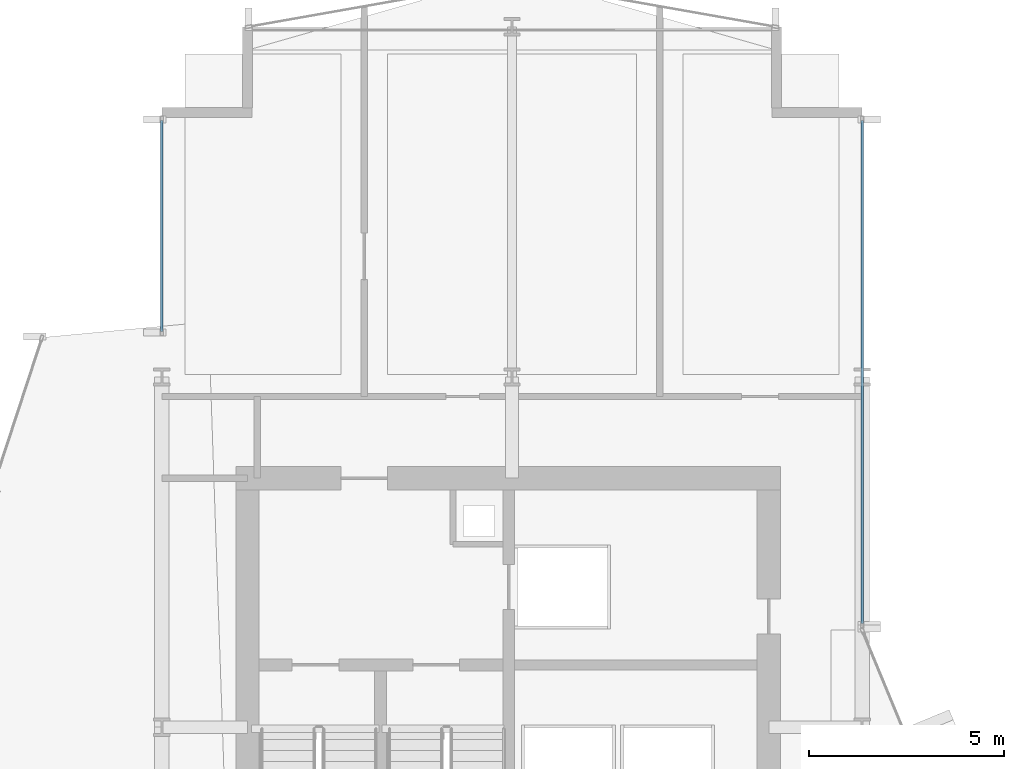
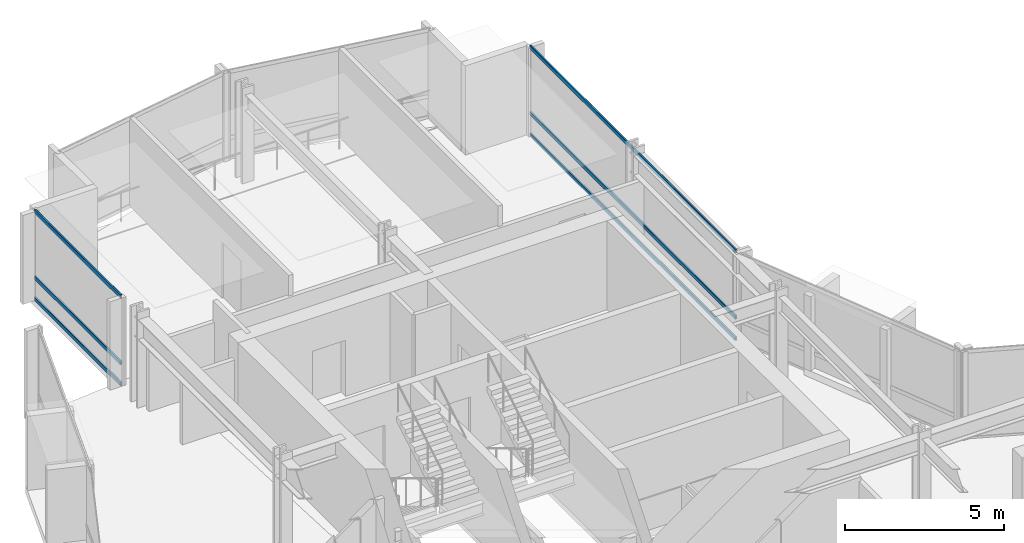
# One storey, part 22 of 34: 6 members, 2 elements without a shape of their own.
"""IFC4 building model written with IfcOpenShell, lengths in metres."""

import ifcopenshell
import ifcopenshell.guid

model = None  # the IFC model being written
_history = None  # IfcOwnerHistory: only IFC2X3 demands one
_inside = {}  # id of a spatial element -> (the spatial element, [elements in it])
_under = {}  # id of a project, library or spatial element -> (it, [spatial elements below it])
_declared = {}  # id of a project -> (the project, [libraries it declares])
_typed = {}  # id of a type object -> (the type object, [elements of that type])
_made_of = {}  # id of a material, layer set ... -> (it, [elements and type objects made of it])


def new_model(schema):
    """Start an empty IFC model of exactly this schema.

    Asked for "IFC4X3", IfcOpenShell would pick the latest addendum, in which some entities
    have other attributes; the version numbers below select the first issue.
    IFC2X3 requires an IfcOwnerHistory on every rooted entity: one is made here for all.
    """
    global model, _history
    if schema == "IFC4X3":
        model = ifcopenshell.file(schema_version=(4, 3, 0, 0))
    else:
        model = ifcopenshell.file(schema=schema)
    _inside.clear()
    _under.clear()
    _declared.clear()
    _typed.clear()
    _made_of.clear()
    _history = None
    if model.schema == "IFC2X3":
        org = make("IfcOrganization", Name="unknown")
        user = make(
            "IfcPersonAndOrganization",
            ThePerson=make("IfcPerson", FamilyName="unknown"),
            TheOrganization=org,
        )
        app = make(
            "IfcApplication",
            ApplicationDeveloper=org,
            Version="unknown",
            ApplicationFullName="unknown",
            ApplicationIdentifier="unknown",
        )
        _history = make(
            "IfcOwnerHistory",
            OwningUser=user,
            OwningApplication=app,
            ChangeAction="ADDED",
            CreationDate=0,
        )
    return model


def make(cls, **values):
    """One entity of the class cls with the attributes given. An attribute that is None is left unset."""
    return model.create_entity(
        cls, **{name: value for name, value in values.items() if value is not None}
    )


def rooted(cls, **values):
    """An entity with a GlobalId (a new one), such as an element, a storey or a relation."""
    return make(cls, GlobalId=ifcopenshell.guid.new(), OwnerHistory=_history, **values)


def si_unit(unit_type, name, prefix=None):
    """IfcSIUnit, for example si_unit("LENGTHUNIT", "METRE", prefix="MILLI")."""
    return make("IfcSIUnit", UnitType=unit_type, Prefix=prefix, Name=name)


def assignment(units):
    """IfcUnitAssignment: the units of a project."""
    return None if units is None else make("IfcUnitAssignment", Units=units)


def point(xyz):
    """IfcCartesianPoint."""
    return None if xyz is None else make("IfcCartesianPoint", Coordinates=xyz)


def direction(xyz):
    """IfcDirection."""
    return None if xyz is None else make("IfcDirection", DirectionRatios=xyz)


def frame(location, z_axis=None, x_axis=None):
    """IfcAxis2Placement3D, a coordinate frame: its origin and axes. An axis left out is left unset."""
    return make(
        "IfcAxis2Placement3D",
        Location=point(location),
        Axis=direction(z_axis),
        RefDirection=direction(x_axis),
    )


def frame_2d(location, x_axis=None):
    """IfcAxis2Placement2D, a coordinate frame in the plane: its origin and x axis."""
    return make(
        "IfcAxis2Placement2D", Location=point(location), RefDirection=direction(x_axis)
    )


def origin():
    """The frame at (0, 0, 0) with its axes left unset."""
    return frame((0.0, 0.0, 0.0))


def origin_2d():
    """The frame at (0, 0) in the plane with its x axis left unset."""
    return frame_2d((0.0, 0.0))


def place(relative_to, where):
    """IfcLocalPlacement: puts the frame where relative to a parent placement (None: the world)."""
    return make(
        "IfcLocalPlacement", PlacementRelTo=relative_to, RelativePlacement=where
    )


def context(
    kind, dimensions, precision=None, world=None, true_north=None, identifier=None
):
    """IfcGeometricRepresentationContext, for example the 3D "Model" context."""
    return make(
        "IfcGeometricRepresentationContext",
        ContextIdentifier=identifier,
        ContextType=kind,
        CoordinateSpaceDimension=dimensions,
        Precision=precision,
        WorldCoordinateSystem=world,
        TrueNorth=true_north,
    )


def subcontext(parent, identifier, kind, view, scale=None):
    """IfcGeometricRepresentationSubContext, for example "Body" below "Model"."""
    return make(
        "IfcGeometricRepresentationSubContext",
        ContextIdentifier=identifier,
        ContextType=kind,
        ParentContext=parent,
        TargetScale=scale,
        TargetView=view,
    )


def project(units=None, contexts=None):
    """IfcProject with its units and contexts."""
    return rooted(
        "IfcProject",
        Name="project",
        RepresentationContexts=contexts,
        UnitsInContext=assignment(units),
    )


def spatial(cls, under=None, at=None, **own):
    """A site, building, storey or space (cls), placed at a placement, below another one or the project."""
    s = rooted(cls, ObjectPlacement=at, **own)
    if under is not None:
        _under.setdefault(under.id(), (under, []))[1].append(s)
    return s


def profile(cls, at=None, kind="AREA", **sizes):
    """A parametric profile (cls). Its sizes go by their IFC names, for example OverallWidth=200.0."""
    return make(cls, ProfileType=kind, Position=at, **sizes)


def hollow_rectangle(**sizes):
    """IfcRectangleHollowProfileDef."""
    return profile("IfcRectangleHollowProfileDef", **sizes)


def extrude(swept, where, along, depth):
    """IfcExtrudedAreaSolid: the profile swept, set in the frame where, extruded along a direction by depth."""
    return make(
        "IfcExtrudedAreaSolid",
        SweptArea=swept,
        Position=where,
        ExtrudedDirection=direction(along),
        Depth=depth,
    )


def shape(context_of_items, identifier, shape_type, items):
    """IfcShapeRepresentation: the items that make up one representation, for example the "Body"."""
    return make(
        "IfcShapeRepresentation",
        ContextOfItems=context_of_items,
        RepresentationIdentifier=identifier,
        RepresentationType=shape_type,
        Items=items,
    )


def material(Name=None, Category=None):
    """IfcMaterial."""
    return make("IfcMaterial", Name=Name, Category=Category)


def layer(
    of_material, thickness, ventilated=None, Name=None, Category=None, Priority=None
):
    """IfcMaterialLayer: one layer of a wall or slab, of a material (None: an air gap)."""
    return make(
        "IfcMaterialLayer",
        Material=of_material,
        LayerThickness=thickness,
        IsVentilated=ventilated,
        Name=Name,
        Category=Category,
        Priority=Priority,
    )


def layer_set(layers, Name=None):
    """IfcMaterialLayerSet."""
    return make("IfcMaterialLayerSet", MaterialLayers=layers, LayerSetName=Name)


def material_profile(
    of_material, cross_section, Name=None, Category=None, Priority=None
):
    """IfcMaterialProfile: a cross section and its material."""
    return make(
        "IfcMaterialProfile",
        Name=Name,
        Material=of_material,
        Profile=cross_section,
        Priority=Priority,
        Category=Category,
    )


def profile_set(profiles, Name=None, composite=None):
    """IfcMaterialProfileSet."""
    return make(
        "IfcMaterialProfileSet",
        Name=Name,
        MaterialProfiles=profiles,
        CompositeProfile=composite,
    )


def made_of(thing, what):
    """Note that an element or type object is made of a material, layer set ...; save() writes the relation."""
    if what is not None:
        _made_of.setdefault(what.id(), (what, []))[1].append(thing)
    return thing


def type_object(cls, material=None, **own):
    """A type object (cls), such as IfcWallType, which elements share."""
    return made_of(rooted(cls, **own), material)


def element(
    cls,
    number,
    at=None,
    inside=None,
    cuts=None,
    type_object=None,
    material=None,
    context=None,
    identifier="Body",
    shape_type=None,
    held_by="IfcProductDefinitionShape",
    body=None,
    shapes=None,
    **own,
):
    """One element of the class cls, such as IfcWall. Its Tag is "e" and its number.

    at: its placement. inside: the storey or other place that contains it. cuts: it is an
    opening in that element (IfcRelVoidsElement). A single representation is given by context,
    identifier, shape_type and body (its items); several are given by shapes. held_by: the class
    of the entity that holds the representations. save() writes the other relations.
    """
    e = rooted(cls, Tag="e%d" % number, ObjectPlacement=at, **own)
    if body is not None:
        shapes = [shape(context, identifier, shape_type, body)]
    if shapes is not None:
        e.Representation = make(held_by, Representations=shapes)
    if inside is not None:
        _inside.setdefault(inside.id(), (inside, []))[1].append(e)
    if cuts is not None:
        rooted(
            "IfcRelVoidsElement", RelatingBuildingElement=cuts, RelatedOpeningElement=e
        )
    if type_object is not None:
        _typed.setdefault(type_object.id(), (type_object, []))[1].append(e)
    return made_of(e, material)


def aggregate(whole, parts):
    """IfcRelAggregates: a whole, such as a stair, and the parts it consists of."""
    return rooted("IfcRelAggregates", RelatingObject=whole, RelatedObjects=parts)


def save(model, path):
    """Write the relations noted so far, then the file.

    IfcRelAggregates (storeys below a building ...), IfcRelContainedInSpatialStructure (elements
    in a storey), IfcRelDefinesByType, IfcRelAssociatesMaterial and IfcRelDeclares: one each for
    every whole, place, type object, material and project.
    """
    for whole, parts in _under.values():
        aggregate(whole, parts)
    for where, things in _inside.values():
        rooted(
            "IfcRelContainedInSpatialStructure",
            RelatedElements=things,
            RelatingStructure=where,
        )
    for kind, things in _typed.values():
        rooted("IfcRelDefinesByType", RelatedObjects=things, RelatingType=kind)
    for what, things in _made_of.values():
        rooted("IfcRelAssociatesMaterial", RelatedObjects=things, RelatingMaterial=what)
    for by, libraries in _declared.values():
        rooted("IfcRelDeclares", RelatingContext=by, RelatedDefinitions=libraries)
    model.write(path)


model = new_model("IFC4")

# Units and contexts
model_context = context("Model", 3, precision=1e-05, world=origin(), true_north=direction((0.0, 1.0)))
body_context = subcontext(model_context, "Body", "Model", "MODEL_VIEW")
ifc_project = project(units=[si_unit("LENGTHUNIT", "METRE"), si_unit("AREAUNIT", "SQUARE_METRE"), si_unit("VOLUMEUNIT", "CUBIC_METRE"), si_unit("PLANEANGLEUNIT", "RADIAN"), si_unit("MASSUNIT", "GRAM", prefix="KILO")], contexts=[model_context])

# Site, building, storey
site_placement = place(None, origin())
site = spatial("IfcSite", under=ifc_project, at=site_placement, CompositionType="ELEMENT")
building_placement = place(site_placement, origin())
building = spatial("IfcBuilding", under=site, at=building_placement, Name="Solvaryn Broadcast Tower", CompositionType="ELEMENT")
storey_placement = place(building_placement, frame((0.0, 0.0, 73.0)))
storey = spatial("IfcBuildingStorey", under=building, at=storey_placement, Name="L17", CompositionType="ELEMENT", Elevation=73.0)

# Curtain wall, members
ifc_material_1 = material(Name="Aluminium and Terracotta Unitised Curtain Wall", Category="masonry")
ifc_layer = layer(ifc_material_1, 0.199951171875)
ifc_layer_set = layer_set([ifc_layer], Name="CW-SYS2-LOWMID")
curtain_wall_type = type_object("IfcCurtainWallType", Name="CW-SYS2-LOWMID", PredefinedType="NOTDEFINED", material=ifc_layer_set)
curtain_wall_1_placement = place(storey_placement, origin())
curtain_wall_1 = element("IfcCurtainWall", 1, at=curtain_wall_1_placement, inside=storey, type_object=curtain_wall_type, Name="L17 Curtain Wall W2", PredefinedType="NOTDEFINED")
ifc_material_2 = material(Name="Anodised Aluminium 6063-T6", Category="aluminium")
ifc_material_profile = material_profile(ifc_material_2, hollow_rectangle(XDim=0.06494140625, YDim=0.14990234375, WallThickness=0.00390625, InnerFilletRadius=0.00390625, OuterFilletRadius=0.008056640625, at=origin_2d()))
ifc_profile_set = profile_set([ifc_material_profile], Name="Anodised Aluminium 6063-T6")
member_type = type_object("IfcMemberType", Name="CW-TRN-150", PredefinedType="USERDEFINED", material=ifc_profile_set)
member_1_placement = place(storey_placement, frame((9.0, 46.176025390625, 0.030029296875), z_axis=(0.0, 1.0, 0.0), x_axis=(-1.0, 0.0, 0.0)))
member_1 = element("IfcMember", 2, at=member_1_placement, type_object=member_type, Name="CWS2 transom 1.1", ObjectType="TRANSOM", PredefinedType="USERDEFINED", context=body_context, shape_type="SweptSolid", body=[
    extrude(hollow_rectangle(XDim=0.06494140625, YDim=0.14990234375, WallThickness=0.00390625, InnerFilletRadius=0.00390625, OuterFilletRadius=0.008056640625, at=origin_2d()), origin(), (0.0, 0.0, 1.0), 5.4140625),
])
member_2_placement = place(storey_placement, frame((9.0, 46.176025390625, 0.85009765625), z_axis=(0.0, 1.0, 0.0), x_axis=(-1.0, 0.0, 0.0)))
member_2 = element("IfcMember", 3, at=member_2_placement, type_object=member_type, Name="CWS2 transom 1.2", ObjectType="TRANSOM", PredefinedType="USERDEFINED", context=body_context, shape_type="SweptSolid", body=[
    extrude(hollow_rectangle(XDim=0.06494140625, YDim=0.14990234375, WallThickness=0.00390625, InnerFilletRadius=0.00390625, OuterFilletRadius=0.008056640625, at=origin_2d()), origin(), (0.0, 0.0, 1.0), 5.4140625),
])
member_3_placement = place(storey_placement, frame((9.0, 46.176025390625, 3.389892578125), z_axis=(0.0, 1.0, 0.0), x_axis=(-1.0, 0.0, 0.0)))
member_3 = element("IfcMember", 4, at=member_3_placement, type_object=member_type, Name="CWS2 transom 1.3", ObjectType="TRANSOM", PredefinedType="USERDEFINED", context=body_context, shape_type="SweptSolid", body=[
    extrude(hollow_rectangle(XDim=0.06494140625, YDim=0.14990234375, WallThickness=0.00390625, InnerFilletRadius=0.00390625, OuterFilletRadius=0.008056640625, at=origin_2d()), origin(), (0.0, 0.0, 1.0), 5.4140625),
])
aggregate(curtain_wall_1, [member_1, member_2, member_3])

curtain_wall_2_placement = place(storey_placement, origin())
curtain_wall_2 = element("IfcCurtainWall", 5, at=curtain_wall_2_placement, inside=storey, type_object=curtain_wall_type, Name="L17 Curtain Wall IV", PredefinedType="NOTDEFINED")
member_4_placement = place(storey_placement, frame((27.0, 51.590087890625, 0.030029296875), z_axis=(0.0, -1.0, 0.0), x_axis=(1.0, 0.0, 0.0)))
member_4 = element("IfcMember", 6, at=member_4_placement, type_object=member_type, Name="CWS2 transom 1.1", ObjectType="TRANSOM", PredefinedType="USERDEFINED", context=body_context, shape_type="SweptSolid", body=[
    extrude(hollow_rectangle(XDim=0.06494140625, YDim=0.14990234375, WallThickness=0.00390625, InnerFilletRadius=0.00390625, OuterFilletRadius=0.008056640625, at=origin_2d()), origin(), (0.0, 0.0, 1.0), 12.93017578125),
])
member_5_placement = place(storey_placement, frame((27.0, 51.590087890625, 0.85009765625), z_axis=(0.0, -1.0, 0.0), x_axis=(1.0, 0.0, 0.0)))
member_5 = element("IfcMember", 7, at=member_5_placement, type_object=member_type, Name="CWS2 transom 1.2", ObjectType="TRANSOM", PredefinedType="USERDEFINED", context=body_context, shape_type="SweptSolid", body=[
    extrude(hollow_rectangle(XDim=0.06494140625, YDim=0.14990234375, WallThickness=0.00390625, InnerFilletRadius=0.00390625, OuterFilletRadius=0.008056640625, at=origin_2d()), origin(), (0.0, 0.0, 1.0), 12.93017578125),
])
member_6_placement = place(storey_placement, frame((27.0, 51.590087890625, 3.389892578125), z_axis=(0.0, -1.0, 0.0), x_axis=(1.0, 0.0, 0.0)))
member_6 = element("IfcMember", 8, at=member_6_placement, type_object=member_type, Name="CWS2 transom 1.3", ObjectType="TRANSOM", PredefinedType="USERDEFINED", context=body_context, shape_type="SweptSolid", body=[
    extrude(hollow_rectangle(XDim=0.06494140625, YDim=0.14990234375, WallThickness=0.00390625, InnerFilletRadius=0.00390625, OuterFilletRadius=0.008056640625, at=origin_2d()), origin(), (0.0, 0.0, 1.0), 12.93017578125),
])
aggregate(curtain_wall_2, [member_4, member_5, member_6])

save(model, "model.ifc")
